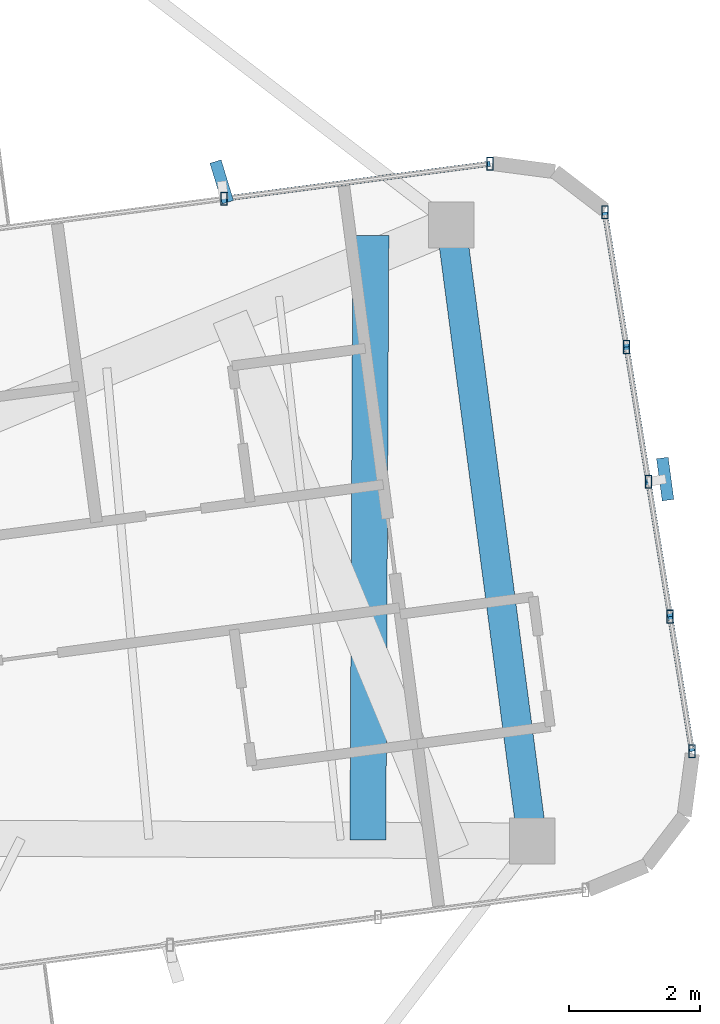
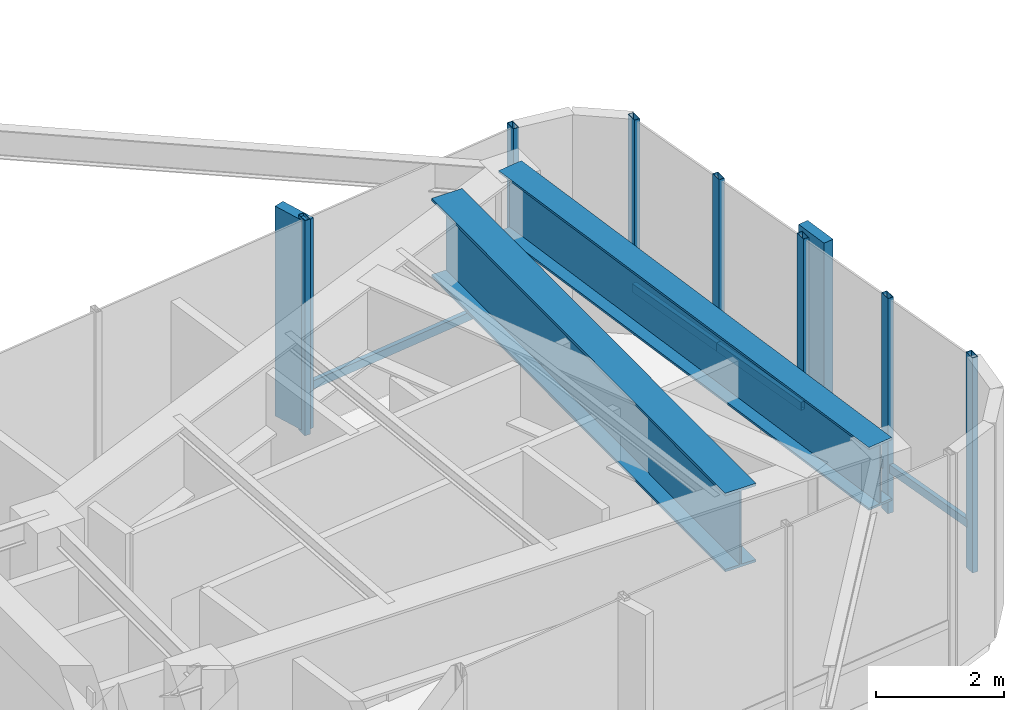
# One storey, part 9 of 18: 14 members, 2 beams, 2 elements without a shape of their own.
"""IFC4 building model written with IfcOpenShell, lengths in metres."""

import ifcopenshell
import ifcopenshell.guid

model = None  # the IFC model being written
_history = None  # IfcOwnerHistory: only IFC2X3 demands one
_inside = {}  # id of a spatial element -> (the spatial element, [elements in it])
_under = {}  # id of a project, library or spatial element -> (it, [spatial elements below it])
_declared = {}  # id of a project -> (the project, [libraries it declares])
_typed = {}  # id of a type object -> (the type object, [elements of that type])
_made_of = {}  # id of a material, layer set ... -> (it, [elements and type objects made of it])


def new_model(schema):
    """Start an empty IFC model of exactly this schema.

    Asked for "IFC4X3", IfcOpenShell would pick the latest addendum, in which some entities
    have other attributes; the version numbers below select the first issue.
    IFC2X3 requires an IfcOwnerHistory on every rooted entity: one is made here for all.
    """
    global model, _history
    if schema == "IFC4X3":
        model = ifcopenshell.file(schema_version=(4, 3, 0, 0))
    else:
        model = ifcopenshell.file(schema=schema)
    _inside.clear()
    _under.clear()
    _declared.clear()
    _typed.clear()
    _made_of.clear()
    _history = None
    if model.schema == "IFC2X3":
        org = make("IfcOrganization", Name="unknown")
        user = make(
            "IfcPersonAndOrganization",
            ThePerson=make("IfcPerson", FamilyName="unknown"),
            TheOrganization=org,
        )
        app = make(
            "IfcApplication",
            ApplicationDeveloper=org,
            Version="unknown",
            ApplicationFullName="unknown",
            ApplicationIdentifier="unknown",
        )
        _history = make(
            "IfcOwnerHistory",
            OwningUser=user,
            OwningApplication=app,
            ChangeAction="ADDED",
            CreationDate=0,
        )
    return model


def make(cls, **values):
    """One entity of the class cls with the attributes given. An attribute that is None is left unset."""
    return model.create_entity(
        cls, **{name: value for name, value in values.items() if value is not None}
    )


def rooted(cls, **values):
    """An entity with a GlobalId (a new one), such as an element, a storey or a relation."""
    return make(cls, GlobalId=ifcopenshell.guid.new(), OwnerHistory=_history, **values)


def si_unit(unit_type, name, prefix=None):
    """IfcSIUnit, for example si_unit("LENGTHUNIT", "METRE", prefix="MILLI")."""
    return make("IfcSIUnit", UnitType=unit_type, Prefix=prefix, Name=name)


def assignment(units):
    """IfcUnitAssignment: the units of a project."""
    return None if units is None else make("IfcUnitAssignment", Units=units)


def point(xyz):
    """IfcCartesianPoint."""
    return None if xyz is None else make("IfcCartesianPoint", Coordinates=xyz)


def direction(xyz):
    """IfcDirection."""
    return None if xyz is None else make("IfcDirection", DirectionRatios=xyz)


def frame(location, z_axis=None, x_axis=None):
    """IfcAxis2Placement3D, a coordinate frame: its origin and axes. An axis left out is left unset."""
    return make(
        "IfcAxis2Placement3D",
        Location=point(location),
        Axis=direction(z_axis),
        RefDirection=direction(x_axis),
    )


def frame_2d(location, x_axis=None):
    """IfcAxis2Placement2D, a coordinate frame in the plane: its origin and x axis."""
    return make(
        "IfcAxis2Placement2D", Location=point(location), RefDirection=direction(x_axis)
    )


def origin():
    """The frame at (0, 0, 0) with its axes left unset."""
    return frame((0.0, 0.0, 0.0))


def origin_2d():
    """The frame at (0, 0) in the plane with its x axis left unset."""
    return frame_2d((0.0, 0.0))


def place(relative_to, where):
    """IfcLocalPlacement: puts the frame where relative to a parent placement (None: the world)."""
    return make(
        "IfcLocalPlacement", PlacementRelTo=relative_to, RelativePlacement=where
    )


def context(
    kind, dimensions, precision=None, world=None, true_north=None, identifier=None
):
    """IfcGeometricRepresentationContext, for example the 3D "Model" context."""
    return make(
        "IfcGeometricRepresentationContext",
        ContextIdentifier=identifier,
        ContextType=kind,
        CoordinateSpaceDimension=dimensions,
        Precision=precision,
        WorldCoordinateSystem=world,
        TrueNorth=true_north,
    )


def subcontext(parent, identifier, kind, view, scale=None):
    """IfcGeometricRepresentationSubContext, for example "Body" below "Model"."""
    return make(
        "IfcGeometricRepresentationSubContext",
        ContextIdentifier=identifier,
        ContextType=kind,
        ParentContext=parent,
        TargetScale=scale,
        TargetView=view,
    )


def project(units=None, contexts=None):
    """IfcProject with its units and contexts."""
    return rooted(
        "IfcProject",
        Name="project",
        RepresentationContexts=contexts,
        UnitsInContext=assignment(units),
    )


def spatial(cls, under=None, at=None, **own):
    """A site, building, storey or space (cls), placed at a placement, below another one or the project."""
    s = rooted(cls, ObjectPlacement=at, **own)
    if under is not None:
        _under.setdefault(under.id(), (under, []))[1].append(s)
    return s


def profile(cls, at=None, kind="AREA", **sizes):
    """A parametric profile (cls). Its sizes go by their IFC names, for example OverallWidth=200.0."""
    return make(cls, ProfileType=kind, Position=at, **sizes)


def rectangle(**sizes):
    """IfcRectangleProfileDef."""
    return profile("IfcRectangleProfileDef", **sizes)


def hollow_rectangle(**sizes):
    """IfcRectangleHollowProfileDef."""
    return profile("IfcRectangleHollowProfileDef", **sizes)


def i_section(**sizes):
    """IfcIShapeProfileDef."""
    return profile("IfcIShapeProfileDef", **sizes)


def extrude(swept, where, along, depth):
    """IfcExtrudedAreaSolid: the profile swept, set in the frame where, extruded along a direction by depth."""
    return make(
        "IfcExtrudedAreaSolid",
        SweptArea=swept,
        Position=where,
        ExtrudedDirection=direction(along),
        Depth=depth,
    )


def shape(context_of_items, identifier, shape_type, items):
    """IfcShapeRepresentation: the items that make up one representation, for example the "Body"."""
    return make(
        "IfcShapeRepresentation",
        ContextOfItems=context_of_items,
        RepresentationIdentifier=identifier,
        RepresentationType=shape_type,
        Items=items,
    )


def source(mapping_origin, context_of_items, identifier, shape_type, items):
    """IfcRepresentationMap: a shape defined once, which mapped items show again and again."""
    return make(
        "IfcRepresentationMap",
        MappingOrigin=mapping_origin,
        MappedRepresentation=shape(context_of_items, identifier, shape_type, items),
    )


def transform(
    local_origin,
    x_axis=None,
    y_axis=None,
    z_axis=None,
    scale=None,
    scale2=None,
    scale3=None,
    uniform=True,
):
    """IfcCartesianTransformationOperator3D, or its non-uniform kind. x_axis, y_axis, z_axis: its Axis1, 2, 3."""
    if uniform:
        return make(
            "IfcCartesianTransformationOperator3D",
            Axis1=direction(x_axis),
            Axis2=direction(y_axis),
            LocalOrigin=point(local_origin),
            Scale=scale,
            Axis3=direction(z_axis),
        )
    return make(
        "IfcCartesianTransformationOperator3DnonUniform",
        Axis1=direction(x_axis),
        Axis2=direction(y_axis),
        LocalOrigin=point(local_origin),
        Scale=scale,
        Axis3=direction(z_axis),
        Scale2=scale2,
        Scale3=scale3,
    )


def mapped(mapping_source, mapping_target):
    """IfcMappedItem: shows the shape of a source again, moved by a transform."""
    return make(
        "IfcMappedItem", MappingSource=mapping_source, MappingTarget=mapping_target
    )


def material(Name=None, Category=None):
    """IfcMaterial."""
    return make("IfcMaterial", Name=Name, Category=Category)


def material_profile(
    of_material, cross_section, Name=None, Category=None, Priority=None
):
    """IfcMaterialProfile: a cross section and its material."""
    return make(
        "IfcMaterialProfile",
        Name=Name,
        Material=of_material,
        Profile=cross_section,
        Priority=Priority,
        Category=Category,
    )


def profile_set(profiles, Name=None, composite=None):
    """IfcMaterialProfileSet."""
    return make(
        "IfcMaterialProfileSet",
        Name=Name,
        MaterialProfiles=profiles,
        CompositeProfile=composite,
    )


def made_of(thing, what):
    """Note that an element or type object is made of a material, layer set ...; save() writes the relation."""
    if what is not None:
        _made_of.setdefault(what.id(), (what, []))[1].append(thing)
    return thing


def type_object(cls, material=None, **own):
    """A type object (cls), such as IfcWallType, which elements share."""
    return made_of(rooted(cls, **own), material)


def element(
    cls,
    number,
    at=None,
    inside=None,
    cuts=None,
    type_object=None,
    material=None,
    context=None,
    identifier="Body",
    shape_type=None,
    held_by="IfcProductDefinitionShape",
    body=None,
    shapes=None,
    **own,
):
    """One element of the class cls, such as IfcWall. Its Tag is "e" and its number.

    at: its placement. inside: the storey or other place that contains it. cuts: it is an
    opening in that element (IfcRelVoidsElement). A single representation is given by context,
    identifier, shape_type and body (its items); several are given by shapes. held_by: the class
    of the entity that holds the representations. save() writes the other relations.
    """
    e = rooted(cls, Tag="e%d" % number, ObjectPlacement=at, **own)
    if body is not None:
        shapes = [shape(context, identifier, shape_type, body)]
    if shapes is not None:
        e.Representation = make(held_by, Representations=shapes)
    if inside is not None:
        _inside.setdefault(inside.id(), (inside, []))[1].append(e)
    if cuts is not None:
        rooted(
            "IfcRelVoidsElement", RelatingBuildingElement=cuts, RelatedOpeningElement=e
        )
    if type_object is not None:
        _typed.setdefault(type_object.id(), (type_object, []))[1].append(e)
    return made_of(e, material)


def aggregate(whole, parts):
    """IfcRelAggregates: a whole, such as a stair, and the parts it consists of."""
    return rooted("IfcRelAggregates", RelatingObject=whole, RelatedObjects=parts)


def save(model, path):
    """Write the relations noted so far, then the file.

    IfcRelAggregates (storeys below a building ...), IfcRelContainedInSpatialStructure (elements
    in a storey), IfcRelDefinesByType, IfcRelAssociatesMaterial and IfcRelDeclares: one each for
    every whole, place, type object, material and project.
    """
    for whole, parts in _under.values():
        aggregate(whole, parts)
    for where, things in _inside.values():
        rooted(
            "IfcRelContainedInSpatialStructure",
            RelatedElements=things,
            RelatingStructure=where,
        )
    for kind, things in _typed.values():
        rooted("IfcRelDefinesByType", RelatedObjects=things, RelatingType=kind)
    for what, things in _made_of.values():
        rooted("IfcRelAssociatesMaterial", RelatedObjects=things, RelatingMaterial=what)
    for by, libraries in _declared.values():
        rooted("IfcRelDeclares", RelatingContext=by, RelatedDefinitions=libraries)
    model.write(path)


model = new_model("IFC4")

# Units and contexts
model_context = context("Model", 3, precision=1e-05, world=origin(), true_north=direction((0.0, 1.0)))
body_context = subcontext(model_context, "Body", "Model", "MODEL_VIEW")
ifc_project = project(units=[si_unit("LENGTHUNIT", "METRE"), si_unit("AREAUNIT", "SQUARE_METRE"), si_unit("VOLUMEUNIT", "CUBIC_METRE"), si_unit("PLANEANGLEUNIT", "RADIAN"), si_unit("MASSUNIT", "GRAM", prefix="KILO")], contexts=[model_context])

# Site, building, storey
site_placement = place(None, origin())
site = spatial("IfcSite", under=ifc_project, at=site_placement, CompositionType="ELEMENT")
building_placement = place(site_placement, origin())
building = spatial("IfcBuilding", under=site, at=building_placement, Name="Sahyath Konkavel Grand Hotel", CompositionType="ELEMENT")
storey_placement = place(building_placement, frame((0.0, 0.0, 275.800048828125)))
storey = spatial("IfcBuildingStorey", under=building, at=storey_placement, Name="L77", CompositionType="ELEMENT", Elevation=275.800048828125)

# Beams
ifc_material_1 = material(Name="Steel E450", Category="steel")
ifc_material_profile_1 = material_profile(ifc_material_1, i_section(OverallWidth=0.550048828125, OverallDepth=1.5, WebThickness=0.028076171875, FlangeThickness=0.050048828125, at=origin_2d()), Name="BPG 1500x550")
ifc_profile_set_1 = profile_set([ifc_material_profile_1], Name="Steel E450")
beam_type_1 = type_object("IfcBeamType", Name="BM-BPG1500", PredefinedType="BEAM", material=ifc_profile_set_1)
shared_shape_1 = source(origin(), body_context, "Body", "SweptSolid", [
    extrude(i_section(OverallWidth=0.550048828125, OverallDepth=1.5, WebThickness=0.028076171875, FlangeThickness=0.050048828125, at=origin_2d()), origin(), (0.0, 0.0, 1.0), 9.244873046875),
])
beam_1_placement = place(storey_placement, frame((15.198486328125, -2.447021484375, 3.349853515625), z_axis=(0.004832647504, 0.999988322691, 0.0), x_axis=(-0.999988322691, 0.004832647504, 0.0)))
element("IfcBeam", 1, at=beam_1_placement, inside=storey, type_object=beam_type_1, Name="L77 Setback Cross Transfer Girder E-2", PredefinedType="BEAM", context=body_context, shape_type="MappedRepresentation", body=[
    mapped(shared_shape_1, transform((0.0, 0.0, 0.0), scale=1.0)),
])
ifc_material_profile_2 = material_profile(ifc_material_1, i_section(OverallWidth=0.449951171875, OverallDepth=1.199951171875, WebThickness=0.02197265625, FlangeThickness=0.0400390625, at=origin_2d()), Name="BPG 1200x450")
ifc_profile_set_2 = profile_set([ifc_material_profile_2], Name="Steel E450")
beam_type_2 = type_object("IfcBeamType", Name="BM-BPG1200", PredefinedType="BEAM", material=ifc_profile_set_2)
shared_shape_2 = source(origin(), body_context, "Body", "SweptSolid", [
    extrude(i_section(OverallWidth=0.449951171875, OverallDepth=1.199951171875, WebThickness=0.02197265625, FlangeThickness=0.0400390625, at=origin_2d()), origin(), (0.0, 0.0, 1.0), 9.5),
])
beam_2_placement = place(storey_placement, frame((17.71240234375, -2.458984375, 3.5), z_axis=(-0.130525643939, 0.991444933556, 0.0), x_axis=(-0.991444933556, -0.130525643939, 0.0)))
element("IfcBeam", 2, at=beam_2_placement, inside=storey, type_object=beam_type_2, Name="L77 Wing Tip Edge Beam E", PredefinedType="BEAM", context=body_context, shape_type="MappedRepresentation", body=[
    mapped(shared_shape_2, transform((0.0, 0.0, 0.0), scale=1.0)),
])

# Curtain wall, members
ifc_material_2 = material(Name="Anodised Bronze Aluminium & Low-E Glazing", Category="aluminium")
curtain_wall_type = type_object("IfcCurtainWallType", Name="CW-ZONE4", PredefinedType="NOTDEFINED", material=ifc_material_2)
curtain_wall_1_placement = place(storey_placement, origin())
curtain_wall_1 = element("IfcCurtainWall", 3, at=curtain_wall_1_placement, inside=storey, type_object=curtain_wall_type, Name="L77 Unitised Curtain Wall F4", PredefinedType="NOTDEFINED")
ifc_material_3 = material(Name="Anodised Bronze Aluminium", Category="aluminium")
ifc_material_profile_3 = material_profile(ifc_material_3, hollow_rectangle(XDim=0.10009765625, YDim=0.199951171875, WallThickness=0.008056640625, at=origin_2d()), Name="RHS 200x100x8")
ifc_profile_set_3 = profile_set([ifc_material_profile_3], Name="Anodised Bronze Aluminium")
member_type_1 = type_object("IfcMemberType", Name="CW-MUL-200", PredefinedType="MULLION", material=ifc_profile_set_3)
shared_shape_3 = source(origin(), body_context, "Body", "SweptSolid", [
    extrude(hollow_rectangle(XDim=0.10009765625, YDim=0.199951171875, WallThickness=0.008056640625, at=origin_2d()), origin(), (0.0, 0.0, 1.0), 4.099853515625),
])
member_1_placement = place(storey_placement, frame((20.1533203125, -1.0888671875, 0.0), z_axis=(0.0, 0.0, 1.0), x_axis=(1.0, 0.0, 0.0)))
member_1 = element("IfcMember", 4, at=member_1_placement, type_object=member_type_1, Name="L77 Curtain Wall Mullion F4-0", PredefinedType="MULLION", context=body_context, shape_type="MappedRepresentation", body=[
    mapped(shared_shape_3, transform((0.0, 0.0, 0.0), scale=1.0)),
])
member_2_placement = place(storey_placement, frame((19.8203125, 0.9716796875, 0.0), z_axis=(0.0, 0.0, 1.0), x_axis=(1.0, 0.0, 0.0)))
member_2 = element("IfcMember", 5, at=member_2_placement, type_object=member_type_1, Name="L77 Curtain Wall Mullion F4-1", PredefinedType="MULLION", context=body_context, shape_type="MappedRepresentation", body=[
    mapped(shared_shape_3, transform((0.0, 0.0, 0.0), scale=1.0)),
])
member_3_placement = place(storey_placement, frame((19.487060546875, 3.031982421875, 0.0), z_axis=(0.0, 0.0, 1.0), x_axis=(1.0, 0.0, 0.0)))
member_3 = element("IfcMember", 6, at=member_3_placement, type_object=member_type_1, Name="L77 Curtain Wall Mullion F4-2", PredefinedType="MULLION", context=body_context, shape_type="MappedRepresentation", body=[
    mapped(shared_shape_3, transform((0.0, 0.0, 0.0), scale=1.0)),
])
member_4_placement = place(storey_placement, frame((19.15380859375, 5.09228515625, 0.0), z_axis=(0.0, 0.0, 1.0), x_axis=(1.0, 0.0, 0.0)))
member_4 = element("IfcMember", 7, at=member_4_placement, type_object=member_type_1, Name="L77 Curtain Wall Mullion F4-3", PredefinedType="MULLION", context=body_context, shape_type="MappedRepresentation", body=[
    mapped(shared_shape_3, transform((0.0, 0.0, 0.0), scale=1.0)),
])
member_5_placement = place(storey_placement, frame((18.82080078125, 7.15283203125, 0.0), z_axis=(0.0, 0.0, 1.0), x_axis=(1.0, 0.0, 0.0)))
member_5 = element("IfcMember", 8, at=member_5_placement, type_object=member_type_1, Name="L77 Curtain Wall Mullion F4-4", PredefinedType="MULLION", context=body_context, shape_type="MappedRepresentation", body=[
    mapped(shared_shape_3, transform((0.0, 0.0, 0.0), scale=1.0)),
])

curtain_wall_2_placement = place(storey_placement, origin())
curtain_wall_2 = element("IfcCurtainWall", 9, at=curtain_wall_2_placement, inside=storey, type_object=curtain_wall_type, Name="L77 Unitised Curtain Wall F7", PredefinedType="NOTDEFINED")
member_6_placement = place(storey_placement, frame((17.0654296875, 7.89501953125, 0.0), z_axis=(0.0, 0.0, 1.0), x_axis=(1.0, 0.0, 0.0)))
member_6 = element("IfcMember", 10, at=member_6_placement, type_object=member_type_1, Name="L77 Curtain Wall Mullion F7-0", PredefinedType="MULLION", context=body_context, shape_type="MappedRepresentation", body=[
    mapped(shared_shape_3, transform((0.0, 0.0, 0.0), scale=1.0)),
])
member_7_placement = place(storey_placement, frame((12.997314453125, 7.359619140625, 0.0), z_axis=(0.0, 0.0, 1.0), x_axis=(1.0, 0.0, 0.0)))
member_7 = element("IfcMember", 11, at=member_7_placement, type_object=member_type_1, Name="L77 Curtain Wall Mullion F7-1", PredefinedType="MULLION", context=body_context, shape_type="MappedRepresentation", body=[
    mapped(shared_shape_3, transform((0.0, 0.0, 0.0), scale=1.0)),
])

# Member
ifc_material_4 = material(Name="Warm Buff Sandstone Cladding on Concrete C50/60", Category="masonry")
ifc_material_profile_4 = material_profile(ifc_material_4, rectangle(XDim=0.179931640625, YDim=0.64990234375, at=origin_2d()), Name="FIN 180x650")
ifc_profile_set_4 = profile_set([ifc_material_profile_4], Name="Warm Buff Sandstone Cladding on Concrete C50/60")
member_type_2 = type_object("IfcMemberType", Name="FIN-SANDSTONE-650", PredefinedType="MULLION", material=ifc_profile_set_4)
shared_shape_4 = source(origin(), body_context, "Body", "SweptSolid", [
    extrude(rectangle(XDim=0.179931640625, YDim=0.64990234375, at=origin_2d()), origin(), (0.0, 0.0, 1.0), 4.0),
])
member_8_placement = place(storey_placement, frame((19.74365234375, 3.073486328125, 0.050048828125), z_axis=(0.0, 0.0, 1.0), x_axis=(0.991076498214, 0.133294316036, 0.0)))
member_8 = element("IfcMember", 12, at=member_8_placement, type_object=member_type_2, Name="L77 Sandstone Vertical Solar Fin FIN F4-2", PredefinedType="MULLION", context=body_context, shape_type="MappedRepresentation", body=[
    mapped(shared_shape_4, transform((0.0, 0.0, 0.0), scale=1.0)),
])

member_9_placement = place(storey_placement, frame((12.96337890625, 7.6171875, 0.050048828125), z_axis=(0.0, 0.0, 1.0), x_axis=(0.956610402488, 0.291370104596, 0.0)))
member_9 = element("IfcMember", 13, at=member_9_placement, type_object=member_type_2, Name="L77 Sandstone Vertical Solar Fin FIN F7-1", PredefinedType="MULLION", context=body_context, shape_type="MappedRepresentation", body=[
    mapped(shared_shape_4, transform((0.0, 0.0, 0.0), scale=1.0)),
])

ifc_material_profile_5 = material_profile(ifc_material_3, hollow_rectangle(XDim=0.080078125, YDim=0.159912109375, WallThickness=0.006103515625, at=origin_2d()), Name="RHS 160x80x6")
ifc_profile_set_5 = profile_set([ifc_material_profile_5], Name="Anodised Bronze Aluminium")
member_type_3 = type_object("IfcMemberType", Name="CW-TRN-160", PredefinedType="USERDEFINED", material=ifc_profile_set_5)
shared_shape_5 = source(origin(), body_context, "Body", "SweptSolid", [
    extrude(hollow_rectangle(XDim=0.080078125, YDim=0.159912109375, WallThickness=0.006103515625, at=origin_2d()), origin(), (0.0, 0.0, 1.0), 2.08740234375),
])
member_10_placement = place(storey_placement, frame((20.1533203125, -1.0888671875, 0.849853515625), z_axis=(-0.159541334591, 0.98719124923, 0.0), x_axis=(-0.98719124923, -0.159541334591, 0.0)))
member_10 = element("IfcMember", 14, at=member_10_placement, type_object=member_type_3, Name="L77 Curtain Wall Transom F4-0-spandrel", ObjectType="TRANSOM", PredefinedType="USERDEFINED", context=body_context, shape_type="MappedRepresentation", body=[
    mapped(shared_shape_5, transform((0.0, 0.0, 0.0), scale=1.0)),
])

member_11_placement = place(storey_placement, frame((19.15380859375, 5.09228515625, 0.849853515625), z_axis=(-0.159541334591, 0.98719124923, 0.0), x_axis=(-0.98719124923, -0.159541334591, 0.0)))
member_11 = element("IfcMember", 15, at=member_11_placement, type_object=member_type_3, Name="L77 Curtain Wall Transom F4-3-spandrel", ObjectType="TRANSOM", PredefinedType="USERDEFINED", context=body_context, shape_type="MappedRepresentation", body=[
    mapped(shared_shape_5, transform((0.0, 0.0, 0.0), scale=1.0)),
])

shared_shape_6 = source(origin(), body_context, "Body", "SweptSolid", [
    extrude(hollow_rectangle(XDim=0.080078125, YDim=0.159912109375, WallThickness=0.006103515625, at=origin_2d()), origin(), (0.0, 0.0, 1.0), 2.087158203125),
])
member_12_placement = place(storey_placement, frame((19.8203125, 0.9716796875, 0.849853515625), z_axis=(-0.159673756436, 0.98716983924, 0.0), x_axis=(-0.98716983924, -0.159673756436, 0.0)))
member_12 = element("IfcMember", 16, at=member_12_placement, type_object=member_type_3, Name="L77 Curtain Wall Transom F4-1-spandrel", ObjectType="TRANSOM", PredefinedType="USERDEFINED", context=body_context, shape_type="MappedRepresentation", body=[
    mapped(shared_shape_6, transform((0.0, 0.0, 0.0), scale=1.0)),
])

member_13_placement = place(storey_placement, frame((19.487060546875, 3.031982421875, 0.849853515625), z_axis=(-0.159673756436, 0.98716983924, 0.0), x_axis=(-0.98716983924, -0.159673756436, 0.0)))
member_13 = element("IfcMember", 17, at=member_13_placement, type_object=member_type_3, Name="L77 Curtain Wall Transom F4-2-spandrel", ObjectType="TRANSOM", PredefinedType="USERDEFINED", context=body_context, shape_type="MappedRepresentation", body=[
    mapped(shared_shape_6, transform((0.0, 0.0, 0.0), scale=1.0)),
])

aggregate(curtain_wall_1, [member_1, member_2, member_3, member_8, member_4, member_5, member_10, member_12, member_13, member_11])

shared_shape_7 = source(origin(), body_context, "Body", "SweptSolid", [
    extrude(hollow_rectangle(XDim=0.080078125, YDim=0.159912109375, WallThickness=0.006103515625, at=origin_2d()), origin(), (0.0, 0.0, 1.0), 4.103271484375),
])
member_14_placement = place(storey_placement, frame((17.0654296875, 7.89501953125, 0.849853515625), z_axis=(-0.991450447248, -0.130483756275, 0.0), x_axis=(0.130483756275, -0.991450447248, 0.0)))
member_14 = element("IfcMember", 18, at=member_14_placement, type_object=member_type_3, Name="L77 Curtain Wall Transom F7-0-spandrel", ObjectType="TRANSOM", PredefinedType="USERDEFINED", context=body_context, shape_type="MappedRepresentation", body=[
    mapped(shared_shape_7, transform((0.0, 0.0, 0.0), scale=1.0)),
])

aggregate(curtain_wall_2, [member_6, member_7, member_9, member_14])

save(model, "model.ifc")
